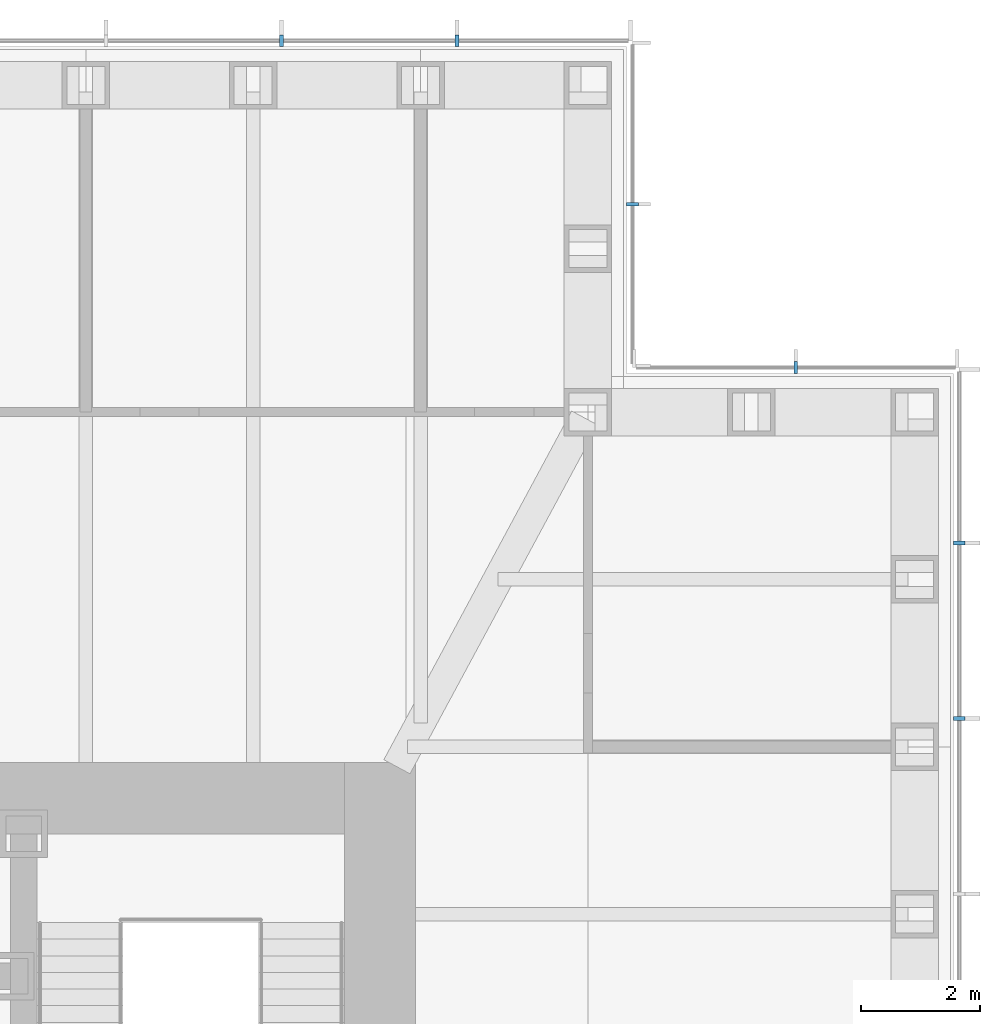
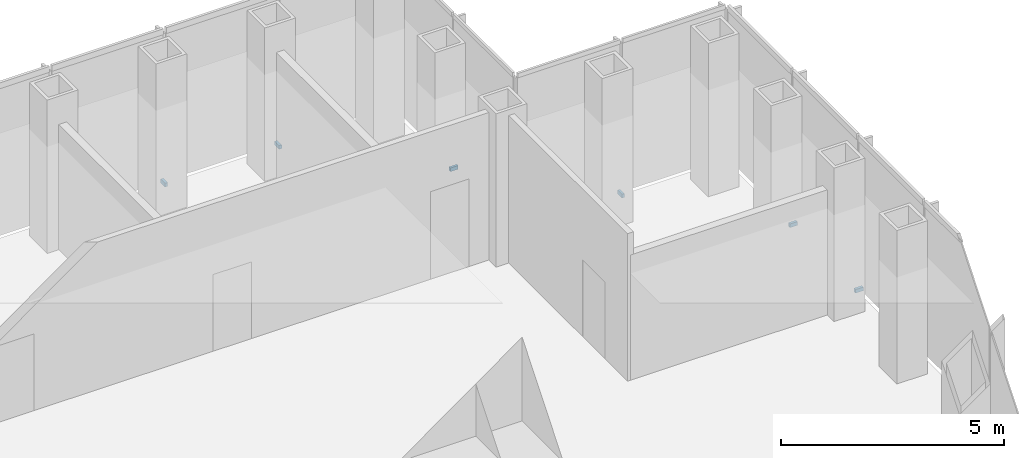
# One storey, part 15 of 16: 6 discrete accessories.
"""IFC4 building model written with IfcOpenShell, lengths in metres."""

from ifc_helpers import new_model, si_unit, direction, frame, origin, origin_2d, place, context, subcontext, project, spatial, rectangle, extrude, element, save


model = new_model("IFC4")

# Units and contexts
model_context = context("Model", 3, precision=1e-05, world=origin(), true_north=direction((0.0, 1.0)))
body_context = subcontext(model_context, "Body", "Model", "MODEL_VIEW")
ifc_project = project(units=[si_unit("LENGTHUNIT", "METRE"), si_unit("AREAUNIT", "SQUARE_METRE"), si_unit("VOLUMEUNIT", "CUBIC_METRE"), si_unit("PLANEANGLEUNIT", "RADIAN"), si_unit("MASSUNIT", "GRAM", prefix="KILO")], contexts=[model_context])

# Site, building, storey
site_placement = place(None, origin())
site = spatial("IfcSite", under=ifc_project, at=site_placement, CompositionType="ELEMENT")
building_placement = place(site_placement, origin())
building = spatial("IfcBuilding", under=site, at=building_placement, Name="Daluyong Arena Tower", CompositionType="ELEMENT")
storey_placement = place(building_placement, frame((0.0, 0.0, 219.10009765625)))
storey = spatial("IfcBuildingStorey", under=building, at=storey_placement, Name="L49", CompositionType="ELEMENT", Elevation=219.10009765625)

# Discrete accessories
for number, where, z_axis, x_axis, name in (
    (1, (77.75, 90.3408203125, -0.10009765625), (0.0, 0.0, 1.0), (0.0, 1.0, 0.0), "curtain wall L49 E anchor bracket 10"),
    (2, (77.75, 93.29541015625, -0.10009765625), (0.0, 0.0, 1.0), (0.0, 1.0, 0.0), "curtain wall L49 E anchor bracket 11"),
):
    element("IfcDiscreteAccessory", number, at=place(storey_placement, frame(where, z_axis=z_axis, x_axis=x_axis)), inside=storey, Name=name, PredefinedType="BRACKET", context=body_context, shape_type="SweptSolid", body=[
        extrude(rectangle(XDim=0.070068359375, YDim=0.199951171875, at=origin_2d()), origin(), (0.0, 0.0, 1.0), 0.10009765625),
    ])
for number, where, z_axis, x_axis, name in (
    (3, (75.0, 96.25, -0.10009765625), (0.0, 0.0, 1.0), (-1.0, 0.0, 0.0), "curtain wall L49 NE-N anchor bracket 2"),
    (4, (72.25, 99.0, -0.10009765625), (0.0, 0.0, 1.0), (0.0, 1.0, 0.0), "curtain wall L49 NE-E anchor bracket 2"),
):
    element("IfcDiscreteAccessory", number, at=place(storey_placement, frame(where, z_axis=z_axis, x_axis=x_axis)), inside=storey, Name=name, PredefinedType="BRACKET", context=body_context, shape_type="SweptSolid", body=[
        extrude(rectangle(XDim=0.06005859375, YDim=0.199951171875, at=origin_2d()), origin(), (0.0, 0.0, 1.0), 0.10009765625),
    ])
for number, where, z_axis, x_axis, name in (
    (5, (69.29541015625, 101.75, -0.10009765625), (0.0, 0.0, 1.0), (-1.0, 0.0, 0.0), "curtain wall L49 N anchor bracket 2"),
    (6, (66.3408203125, 101.75, -0.10009765625), (0.0, 0.0, 1.0), (-1.0, 0.0, 0.0), "curtain wall L49 N anchor bracket 3"),
):
    element("IfcDiscreteAccessory", number, at=place(storey_placement, frame(where, z_axis=z_axis, x_axis=x_axis)), inside=storey, Name=name, PredefinedType="BRACKET", context=body_context, shape_type="SweptSolid", body=[
        extrude(rectangle(XDim=0.070068359375, YDim=0.199951171875, at=origin_2d()), origin(), (0.0, 0.0, 1.0), 0.10009765625),
    ])

save(model, "model.ifc")
